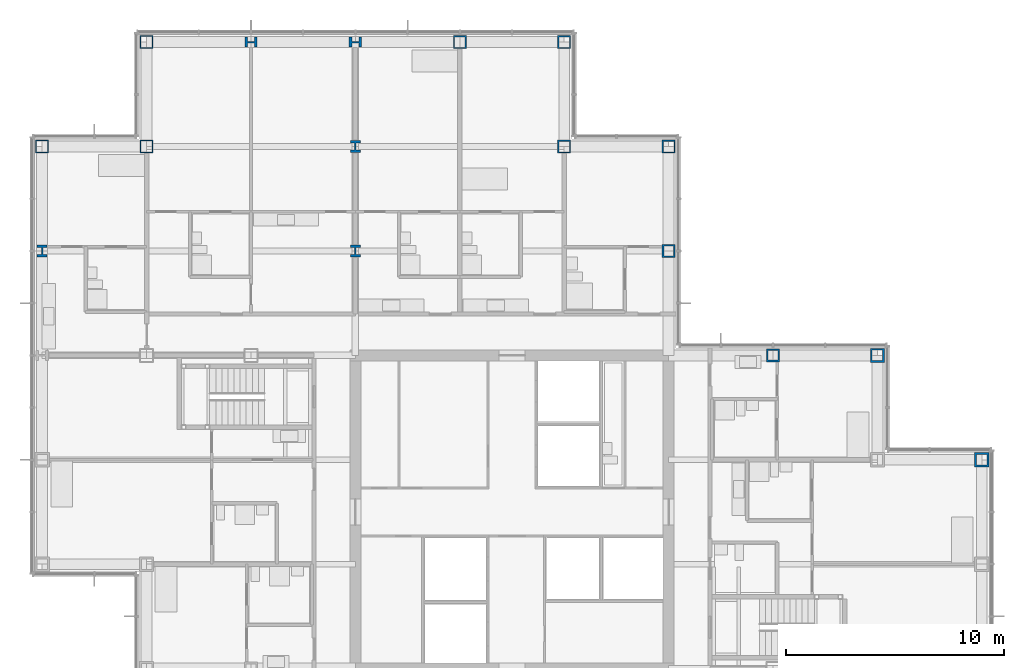
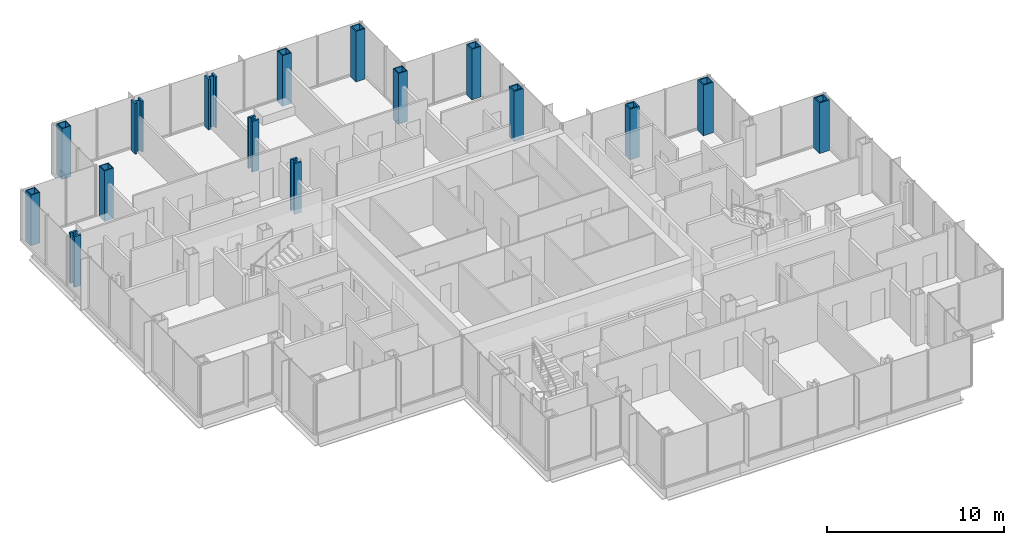
# One storey, part 5 of 19: 16 columns.
"""IFC4 building model written with IfcOpenShell, lengths in metres."""

from ifc_helpers import new_model, si_unit, direction, frame, origin, origin_2d, place, context, subcontext, project, spatial, hollow_rectangle, i_section, extrude, material, material_profile, profile_set, type_object, element, save


model = new_model("IFC4")

# Units and contexts
model_context = context("Model", 3, precision=1e-05, world=origin(), true_north=direction((0.0, 1.0)))
body_context = subcontext(model_context, "Body", "Model", "MODEL_VIEW")
ifc_project = project(units=[si_unit("LENGTHUNIT", "METRE"), si_unit("AREAUNIT", "SQUARE_METRE"), si_unit("VOLUMEUNIT", "CUBIC_METRE"), si_unit("PLANEANGLEUNIT", "RADIAN"), si_unit("MASSUNIT", "GRAM", prefix="KILO")], contexts=[model_context])

# Site, building, storey
site_placement = place(None, origin())
site = spatial("IfcSite", under=ifc_project, at=site_placement, CompositionType="ELEMENT")
building_placement = place(site_placement, origin())
building = spatial("IfcBuilding", under=site, at=building_placement, Name="Kvirike Care Tower", CompositionType="ELEMENT")
storey_placement = place(building_placement, frame((0.0, 0.0, 98.0)))
storey = spatial("IfcBuildingStorey", under=building, at=storey_placement, Name="L26", CompositionType="ELEMENT", Elevation=98.0)

# Columns
ifc_material_1 = material(Name="Steel S460", Category="steel")
ifc_material_profile_1 = material_profile(ifc_material_1, hollow_rectangle(XDim=0.60009765625, YDim=0.60009765625, WallThickness=0.050048828125, at=origin_2d()), Name="BX 600x600x50")
ifc_profile_set_1 = profile_set([ifc_material_profile_1], Name="Steel S460")
column_type_1 = type_object("IfcColumnType", Name="COLUMN BX 600x600x50", PredefinedType="COLUMN", material=ifc_profile_set_1)
for number, where, z_axis, x_axis, name in (
    (1, (0.0, 52.800048828125, 0.0), (0.0, 0.0, 1.0), (0.0, 1.0, 0.0), "Column M3 L26"),
    (2, (4.800048828125, 52.800048828125, 0.0), (0.0, 0.0, 1.0), (0.0, 1.0, 0.0), "Column M4 L26"),
    (3, (4.800048828125, 57.60009765625, 0.0), (0.0, 0.0, 1.0), (0.0, 1.0, 0.0), "Column N4 L26"),
):
    element("IfcColumn", number, at=place(storey_placement, frame(where, z_axis=z_axis, x_axis=x_axis)), inside=storey, type_object=column_type_1, Name=name, PredefinedType="COLUMN", context=body_context, shape_type="SweptSolid", body=[
        extrude(hollow_rectangle(XDim=0.60009765625, YDim=0.60009765625, WallThickness=0.050048828125, at=origin_2d()), origin(), (0.0, 0.0, 1.0), 3.5),
    ])
ifc_material_2 = material(Name="Steel S460", Category="steel")
ifc_material_profile_2 = material_profile(ifc_material_2, hollow_rectangle(XDim=0.60009765625, YDim=0.60009765625, WallThickness=0.06005859375, at=origin_2d()), Name="BX 600x600x60")
ifc_profile_set_2 = profile_set([ifc_material_profile_2], Name="Steel S460")
column_type_2 = type_object("IfcColumnType", Name="COLUMN BX 600x600x60", PredefinedType="COLUMN", material=ifc_profile_set_2)
for number, where, z_axis, x_axis, name in (
    (4, (19.199951171875, 57.60009765625, 0.0), (0.0, 0.0, 1.0), (0.0, 1.0, 0.0), "Column N7 L26"),
    (5, (24.0, 52.800048828125, 0.0), (0.0, 0.0, 1.0), (0.0, 1.0, 0.0), "Column M8 L26"),
    (6, (24.0, 57.60009765625, 0.0), (0.0, 0.0, 1.0), (0.0, 1.0, 0.0), "Column N8 L26"),
    (7, (28.800048828125, 52.800048828125, 0.0), (0.0, 0.0, 1.0), (0.0, 1.0, 0.0), "Column M9 L26"),
):
    element("IfcColumn", number, at=place(storey_placement, frame(where, z_axis=z_axis, x_axis=x_axis)), inside=storey, type_object=column_type_2, Name=name, PredefinedType="COLUMN", context=body_context, shape_type="SweptSolid", body=[
        extrude(hollow_rectangle(XDim=0.60009765625, YDim=0.60009765625, WallThickness=0.06005859375, at=origin_2d()), origin(), (0.0, 0.0, 1.0), 3.5),
    ])
ifc_material_3 = material(Name="Steel S460", Category="steel")
ifc_material_profile_3 = material_profile(ifc_material_3, hollow_rectangle(XDim=0.60009765625, YDim=0.60009765625, WallThickness=0.080078125, at=origin_2d()), Name="BX 600x600x80")
ifc_profile_set_3 = profile_set([ifc_material_profile_3], Name="Steel S460")
column_type_3 = type_object("IfcColumnType", Name="COLUMN BX 600x600x80", PredefinedType="COLUMN", material=ifc_profile_set_3)
for number, where, z_axis, x_axis, name in (
    (8, (28.800048828125, 48.0, 0.0), (0.0, 0.0, 1.0), (1.0, 0.0, 0.0), "Column L9 L26"),
    (9, (33.60009765625, 43.199951171875, 0.0), (0.0, 0.0, 1.0), (0.0, 1.0, 0.0), "Column K10 L26"),
):
    element("IfcColumn", number, at=place(storey_placement, frame(where, z_axis=z_axis, x_axis=x_axis)), inside=storey, type_object=column_type_3, Name=name, PredefinedType="COLUMN", context=body_context, shape_type="SweptSolid", body=[
        extrude(hollow_rectangle(XDim=0.60009765625, YDim=0.60009765625, WallThickness=0.080078125, at=origin_2d()), origin(), (0.0, 0.0, 1.0), 3.5),
    ])
ifc_material_4 = material(Name="Steel S460", Category="steel")
ifc_material_profile_4 = material_profile(ifc_material_4, hollow_rectangle(XDim=0.64990234375, YDim=0.64990234375, WallThickness=0.080078125, at=origin_2d()), Name="BX 650x650x80")
ifc_profile_set_4 = profile_set([ifc_material_profile_4], Name="Steel S460")
column_type_4 = type_object("IfcColumnType", Name="COLUMN BX 650x650x80", PredefinedType="COLUMN", material=ifc_profile_set_4)
for number, where, z_axis, x_axis, name in (
    (10, (38.39990234375, 43.199951171875, 0.0), (0.0, 0.0, 1.0), (0.0, 1.0, 0.0), "Column K11 L26"),
    (11, (43.199951171875, 38.39990234375, 0.0), (0.0, 0.0, 1.0), (0.0, 1.0, 0.0), "Column J12 L26"),
):
    element("IfcColumn", number, at=place(storey_placement, frame(where, z_axis=z_axis, x_axis=x_axis)), inside=storey, type_object=column_type_4, Name=name, PredefinedType="COLUMN", context=body_context, shape_type="SweptSolid", body=[
        extrude(hollow_rectangle(XDim=0.64990234375, YDim=0.64990234375, WallThickness=0.080078125, at=origin_2d()), origin(), (0.0, 0.0, 1.0), 3.5),
    ])
ifc_material_5 = material(Name="Steel S460", Category="steel")
ifc_material_profile_5 = material_profile(ifc_material_5, i_section(OverallWidth=0.4541015625, OverallDepth=0.569091796875, WebThickness=0.077880859375, FlangeThickness=0.125, FilletRadius=0.014892578125, at=origin_2d()), Name="HD 400x1086")
ifc_profile_set_5 = profile_set([ifc_material_profile_5], Name="Steel S460")
column_type_5 = type_object("IfcColumnType", Name="COLUMN HD 400x1086", PredefinedType="COLUMN", material=ifc_profile_set_5)
for number, where, z_axis, x_axis, name in (
    (12, (0.0, 48.0, 0.0), (0.0, 0.0, 1.0), (1.0, 0.0, 0.0), "Column L3 L26"),
    (13, (9.60009765625, 57.60009765625, 0.0), (0.0, 0.0, 1.0), (0.0, 1.0, 0.0), "Column N5 L26"),
    (14, (14.39990234375, 57.60009765625, 0.0), (0.0, 0.0, 1.0), (0.0, 1.0, 0.0), "Column N6 L26"),
):
    element("IfcColumn", number, at=place(storey_placement, frame(where, z_axis=z_axis, x_axis=x_axis)), inside=storey, type_object=column_type_5, Name=name, PredefinedType="COLUMN", context=body_context, shape_type="SweptSolid", body=[
        extrude(i_section(OverallWidth=0.4541015625, OverallDepth=0.569091796875, WebThickness=0.077880859375, FlangeThickness=0.125, FilletRadius=0.014892578125, at=origin_2d()), origin(), (0.0, 0.0, 1.0), 3.5),
    ])
ifc_material_6 = material(Name="Steel S460", Category="steel")
ifc_material_profile_6 = material_profile(ifc_material_6, i_section(OverallWidth=0.447998046875, OverallDepth=0.550048828125, WebThickness=0.072021484375, FlangeThickness=0.114990234375, FilletRadius=0.014892578125, at=origin_2d()), Name="HD 400x990")
ifc_profile_set_6 = profile_set([ifc_material_profile_6], Name="Steel S460")
column_type_6 = type_object("IfcColumnType", Name="COLUMN HD 400x990", PredefinedType="COLUMN", material=ifc_profile_set_6)
for number, where, z_axis, x_axis, name in (
    (15, (14.39990234375, 48.0, 0.0), (0.0, 0.0, 1.0), (1.0, 0.0, 0.0), "Column L6 L26"),
    (16, (14.39990234375, 52.800048828125, 0.0), (0.0, 0.0, 1.0), (1.0, 0.0, 0.0), "Column M6 L26"),
):
    element("IfcColumn", number, at=place(storey_placement, frame(where, z_axis=z_axis, x_axis=x_axis)), inside=storey, type_object=column_type_6, Name=name, PredefinedType="COLUMN", context=body_context, shape_type="SweptSolid", body=[
        extrude(i_section(OverallWidth=0.447998046875, OverallDepth=0.550048828125, WebThickness=0.072021484375, FlangeThickness=0.114990234375, FilletRadius=0.014892578125, at=origin_2d()), origin(), (0.0, 0.0, 1.0), 3.5),
    ])

save(model, "model.ifc")
